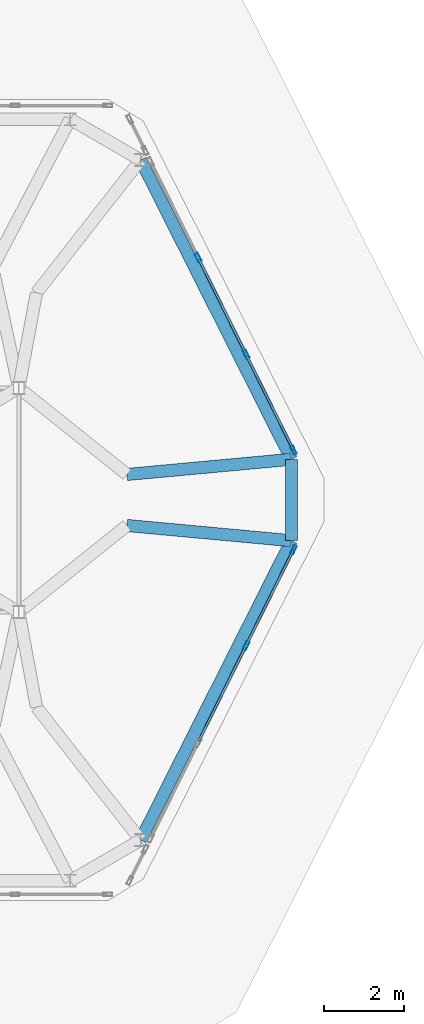
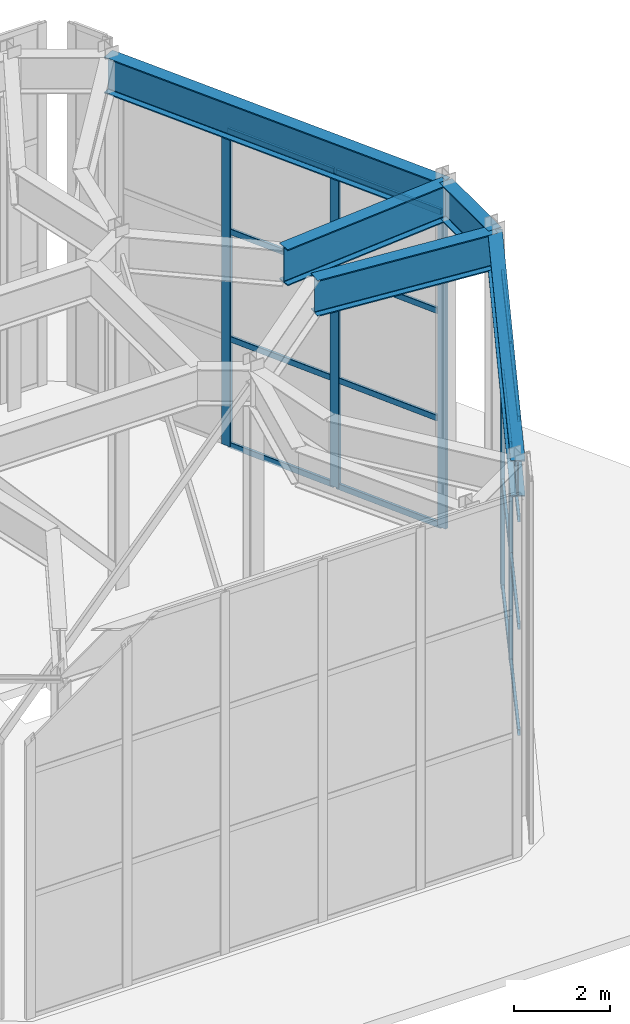
# One storey, part 6 of 9: 21 members, 5 beams, 2 elements without a shape of their own.
"""IFC4 building model written with IfcOpenShell, lengths in metres."""

import ifcopenshell
import ifcopenshell.guid

model = None  # the IFC model being written
_history = None  # IfcOwnerHistory: only IFC2X3 demands one
_inside = {}  # id of a spatial element -> (the spatial element, [elements in it])
_under = {}  # id of a project, library or spatial element -> (it, [spatial elements below it])
_declared = {}  # id of a project -> (the project, [libraries it declares])
_typed = {}  # id of a type object -> (the type object, [elements of that type])
_made_of = {}  # id of a material, layer set ... -> (it, [elements and type objects made of it])


def new_model(schema):
    """Start an empty IFC model of exactly this schema.

    Asked for "IFC4X3", IfcOpenShell would pick the latest addendum, in which some entities
    have other attributes; the version numbers below select the first issue.
    IFC2X3 requires an IfcOwnerHistory on every rooted entity: one is made here for all.
    """
    global model, _history
    if schema == "IFC4X3":
        model = ifcopenshell.file(schema_version=(4, 3, 0, 0))
    else:
        model = ifcopenshell.file(schema=schema)
    _inside.clear()
    _under.clear()
    _declared.clear()
    _typed.clear()
    _made_of.clear()
    _history = None
    if model.schema == "IFC2X3":
        org = make("IfcOrganization", Name="unknown")
        user = make(
            "IfcPersonAndOrganization",
            ThePerson=make("IfcPerson", FamilyName="unknown"),
            TheOrganization=org,
        )
        app = make(
            "IfcApplication",
            ApplicationDeveloper=org,
            Version="unknown",
            ApplicationFullName="unknown",
            ApplicationIdentifier="unknown",
        )
        _history = make(
            "IfcOwnerHistory",
            OwningUser=user,
            OwningApplication=app,
            ChangeAction="ADDED",
            CreationDate=0,
        )
    return model


def make(cls, **values):
    """One entity of the class cls with the attributes given. An attribute that is None is left unset."""
    return model.create_entity(
        cls, **{name: value for name, value in values.items() if value is not None}
    )


def rooted(cls, **values):
    """An entity with a GlobalId (a new one), such as an element, a storey or a relation."""
    return make(cls, GlobalId=ifcopenshell.guid.new(), OwnerHistory=_history, **values)


def si_unit(unit_type, name, prefix=None):
    """IfcSIUnit, for example si_unit("LENGTHUNIT", "METRE", prefix="MILLI")."""
    return make("IfcSIUnit", UnitType=unit_type, Prefix=prefix, Name=name)


def assignment(units):
    """IfcUnitAssignment: the units of a project."""
    return None if units is None else make("IfcUnitAssignment", Units=units)


def point(xyz):
    """IfcCartesianPoint."""
    return None if xyz is None else make("IfcCartesianPoint", Coordinates=xyz)


def direction(xyz):
    """IfcDirection."""
    return None if xyz is None else make("IfcDirection", DirectionRatios=xyz)


def frame(location, z_axis=None, x_axis=None):
    """IfcAxis2Placement3D, a coordinate frame: its origin and axes. An axis left out is left unset."""
    return make(
        "IfcAxis2Placement3D",
        Location=point(location),
        Axis=direction(z_axis),
        RefDirection=direction(x_axis),
    )


def frame_2d(location, x_axis=None):
    """IfcAxis2Placement2D, a coordinate frame in the plane: its origin and x axis."""
    return make(
        "IfcAxis2Placement2D", Location=point(location), RefDirection=direction(x_axis)
    )


def origin():
    """The frame at (0, 0, 0) with its axes left unset."""
    return frame((0.0, 0.0, 0.0))


def origin_2d():
    """The frame at (0, 0) in the plane with its x axis left unset."""
    return frame_2d((0.0, 0.0))


def place(relative_to, where):
    """IfcLocalPlacement: puts the frame where relative to a parent placement (None: the world)."""
    return make(
        "IfcLocalPlacement", PlacementRelTo=relative_to, RelativePlacement=where
    )


def context(
    kind, dimensions, precision=None, world=None, true_north=None, identifier=None
):
    """IfcGeometricRepresentationContext, for example the 3D "Model" context."""
    return make(
        "IfcGeometricRepresentationContext",
        ContextIdentifier=identifier,
        ContextType=kind,
        CoordinateSpaceDimension=dimensions,
        Precision=precision,
        WorldCoordinateSystem=world,
        TrueNorth=true_north,
    )


def subcontext(parent, identifier, kind, view, scale=None):
    """IfcGeometricRepresentationSubContext, for example "Body" below "Model"."""
    return make(
        "IfcGeometricRepresentationSubContext",
        ContextIdentifier=identifier,
        ContextType=kind,
        ParentContext=parent,
        TargetScale=scale,
        TargetView=view,
    )


def project(units=None, contexts=None):
    """IfcProject with its units and contexts."""
    return rooted(
        "IfcProject",
        Name="project",
        RepresentationContexts=contexts,
        UnitsInContext=assignment(units),
    )


def spatial(cls, under=None, at=None, **own):
    """A site, building, storey or space (cls), placed at a placement, below another one or the project."""
    s = rooted(cls, ObjectPlacement=at, **own)
    if under is not None:
        _under.setdefault(under.id(), (under, []))[1].append(s)
    return s


def profile(cls, at=None, kind="AREA", **sizes):
    """A parametric profile (cls). Its sizes go by their IFC names, for example OverallWidth=200.0."""
    return make(cls, ProfileType=kind, Position=at, **sizes)


def hollow_rectangle(**sizes):
    """IfcRectangleHollowProfileDef."""
    return profile("IfcRectangleHollowProfileDef", **sizes)


def i_section(**sizes):
    """IfcIShapeProfileDef."""
    return profile("IfcIShapeProfileDef", **sizes)


def extrude(swept, where, along, depth):
    """IfcExtrudedAreaSolid: the profile swept, set in the frame where, extruded along a direction by depth."""
    return make(
        "IfcExtrudedAreaSolid",
        SweptArea=swept,
        Position=where,
        ExtrudedDirection=direction(along),
        Depth=depth,
    )


def shape(context_of_items, identifier, shape_type, items):
    """IfcShapeRepresentation: the items that make up one representation, for example the "Body"."""
    return make(
        "IfcShapeRepresentation",
        ContextOfItems=context_of_items,
        RepresentationIdentifier=identifier,
        RepresentationType=shape_type,
        Items=items,
    )


def material(Name=None, Category=None):
    """IfcMaterial."""
    return make("IfcMaterial", Name=Name, Category=Category)


def layer(
    of_material, thickness, ventilated=None, Name=None, Category=None, Priority=None
):
    """IfcMaterialLayer: one layer of a wall or slab, of a material (None: an air gap)."""
    return make(
        "IfcMaterialLayer",
        Material=of_material,
        LayerThickness=thickness,
        IsVentilated=ventilated,
        Name=Name,
        Category=Category,
        Priority=Priority,
    )


def layer_set(layers, Name=None):
    """IfcMaterialLayerSet."""
    return make("IfcMaterialLayerSet", MaterialLayers=layers, LayerSetName=Name)


def material_profile(
    of_material, cross_section, Name=None, Category=None, Priority=None
):
    """IfcMaterialProfile: a cross section and its material."""
    return make(
        "IfcMaterialProfile",
        Name=Name,
        Material=of_material,
        Profile=cross_section,
        Priority=Priority,
        Category=Category,
    )


def profile_set(profiles, Name=None, composite=None):
    """IfcMaterialProfileSet."""
    return make(
        "IfcMaterialProfileSet",
        Name=Name,
        MaterialProfiles=profiles,
        CompositeProfile=composite,
    )


def made_of(thing, what):
    """Note that an element or type object is made of a material, layer set ...; save() writes the relation."""
    if what is not None:
        _made_of.setdefault(what.id(), (what, []))[1].append(thing)
    return thing


def type_object(cls, material=None, **own):
    """A type object (cls), such as IfcWallType, which elements share."""
    return made_of(rooted(cls, **own), material)


def element(
    cls,
    number,
    at=None,
    inside=None,
    cuts=None,
    type_object=None,
    material=None,
    context=None,
    identifier="Body",
    shape_type=None,
    held_by="IfcProductDefinitionShape",
    body=None,
    shapes=None,
    **own,
):
    """One element of the class cls, such as IfcWall. Its Tag is "e" and its number.

    at: its placement. inside: the storey or other place that contains it. cuts: it is an
    opening in that element (IfcRelVoidsElement). A single representation is given by context,
    identifier, shape_type and body (its items); several are given by shapes. held_by: the class
    of the entity that holds the representations. save() writes the other relations.
    """
    e = rooted(cls, Tag="e%d" % number, ObjectPlacement=at, **own)
    if body is not None:
        shapes = [shape(context, identifier, shape_type, body)]
    if shapes is not None:
        e.Representation = make(held_by, Representations=shapes)
    if inside is not None:
        _inside.setdefault(inside.id(), (inside, []))[1].append(e)
    if cuts is not None:
        rooted(
            "IfcRelVoidsElement", RelatingBuildingElement=cuts, RelatedOpeningElement=e
        )
    if type_object is not None:
        _typed.setdefault(type_object.id(), (type_object, []))[1].append(e)
    return made_of(e, material)


def aggregate(whole, parts):
    """IfcRelAggregates: a whole, such as a stair, and the parts it consists of."""
    return rooted("IfcRelAggregates", RelatingObject=whole, RelatedObjects=parts)


def save(model, path):
    """Write the relations noted so far, then the file.

    IfcRelAggregates (storeys below a building ...), IfcRelContainedInSpatialStructure (elements
    in a storey), IfcRelDefinesByType, IfcRelAssociatesMaterial and IfcRelDeclares: one each for
    every whole, place, type object, material and project.
    """
    for whole, parts in _under.values():
        aggregate(whole, parts)
    for where, things in _inside.values():
        rooted(
            "IfcRelContainedInSpatialStructure",
            RelatedElements=things,
            RelatingStructure=where,
        )
    for kind, things in _typed.values():
        rooted("IfcRelDefinesByType", RelatedObjects=things, RelatingType=kind)
    for what, things in _made_of.values():
        rooted("IfcRelAssociatesMaterial", RelatedObjects=things, RelatingMaterial=what)
    for by, libraries in _declared.values():
        rooted("IfcRelDeclares", RelatingContext=by, RelatedDefinitions=libraries)
    model.write(path)


model = new_model("IFC4")

# Units and contexts
model_context = context("Model", 3, precision=1e-05, world=origin(), true_north=direction((0.0, 1.0)))
body_context = subcontext(model_context, "Body", "Model", "MODEL_VIEW")
ifc_project = project(units=[si_unit("LENGTHUNIT", "METRE"), si_unit("AREAUNIT", "SQUARE_METRE"), si_unit("VOLUMEUNIT", "CUBIC_METRE"), si_unit("PLANEANGLEUNIT", "RADIAN"), si_unit("MASSUNIT", "GRAM", prefix="KILO")], contexts=[model_context])

# Site, building, storey
site_placement = place(None, origin())
site = spatial("IfcSite", under=ifc_project, at=site_placement, CompositionType="ELEMENT")
building_placement = place(site_placement, origin())
building = spatial("IfcBuilding", under=site, at=building_placement, Name="Cinnabar Lancet Tower", CompositionType="ELEMENT")
storey_placement = place(building_placement, frame((0.0, 0.0, 323.85009765625)))
storey = spatial("IfcBuildingStorey", under=building, at=storey_placement, Name="L82", CompositionType="ELEMENT", Elevation=323.85009765625)

# Curtain wall, members
ifc_material_1 = material(Name="Thermally broken bronze-anodized aluminium and low-E glass", Category="aluminium")
ifc_layer = layer(ifc_material_1, 0.179931640625)
ifc_layer_set = layer_set([ifc_layer], Name="Thermally broken bronze-anodized aluminium and low-E glass")
curtain_wall_type = type_object("IfcCurtainWallType", Name="ENV-CW-SYS-06", PredefinedType="NOTDEFINED", material=ifc_layer_set)
curtain_wall_1_placement = place(storey_placement, origin())
curtain_wall_1 = element("IfcCurtainWall", 1, at=curtain_wall_1_placement, inside=storey, type_object=curtain_wall_type, Name="L82 Faceted Lancet Crown Curtain Wall 5", PredefinedType="NOTDEFINED")
ifc_material_2 = material(Name="Anodized architectural aluminium 6063-T6", Category="aluminium")
ifc_material_profile_1 = material_profile(ifc_material_2, hollow_rectangle(XDim=0.0849609375, YDim=0.219970703125, WallThickness=0.0048828125, InnerFilletRadius=0.00244140625, OuterFilletRadius=0.007568359375, at=origin_2d()), Name="CW-MUL 220x85x5")
ifc_profile_set_1 = profile_set([ifc_material_profile_1], Name="Anodized architectural aluminium 6063-T6")
member_type_1 = type_object("IfcMemberType", Name="ENV-CW-MUL-220", PredefinedType="MULLION", material=ifc_profile_set_1)
member_1_placement = place(storey_placement, frame((41.679443359375, 22.16259765625, 0.0), z_axis=(0.0, 0.0, 1.0), x_axis=(-0.896196734695, 0.443656863715, 0.0)))
member_1 = element("IfcMember", 2, at=member_1_placement, type_object=member_type_1, Name="CW-06 mullion 3", PredefinedType="MULLION", context=body_context, shape_type="SweptSolid", body=[
    extrude(hollow_rectangle(XDim=0.0849609375, YDim=0.219970703125, WallThickness=0.0048828125, InnerFilletRadius=0.00244140625, OuterFilletRadius=0.007568359375, at=origin_2d()), origin(), (0.0, 0.0, 1.0), 7.996826171875),
])
member_2_placement = place(storey_placement, frame((42.86474609375, 24.55712890625, 0.0), z_axis=(0.0, 0.0, 1.0), x_axis=(-0.896196734695, 0.443656863715, 0.0)))
member_2 = element("IfcMember", 3, at=member_2_placement, type_object=member_type_1, Name="CW-06 mullion 4", PredefinedType="MULLION", context=body_context, shape_type="SweptSolid", body=[
    extrude(hollow_rectangle(XDim=0.0849609375, YDim=0.219970703125, WallThickness=0.0048828125, InnerFilletRadius=0.00244140625, OuterFilletRadius=0.007568359375, at=origin_2d()), origin(), (0.0, 0.0, 1.0), 7.996826171875),
])

curtain_wall_2_placement = place(storey_placement, origin())
curtain_wall_2 = element("IfcCurtainWall", 4, at=curtain_wall_2_placement, inside=storey, type_object=curtain_wall_type, Name="L82 Faceted Lancet Crown Curtain Wall 9", PredefinedType="NOTDEFINED")
member_3_placement = place(storey_placement, frame((42.86474609375, 27.04296875, 0.0), z_axis=(0.0, 0.0, 1.0), x_axis=(-0.896196734695, -0.443656863715, 0.0)))
member_3 = element("IfcMember", 5, at=member_3_placement, type_object=member_type_1, Name="CW-06 mullion 1", PredefinedType="MULLION", context=body_context, shape_type="SweptSolid", body=[
    extrude(hollow_rectangle(XDim=0.0849609375, YDim=0.219970703125, WallThickness=0.0048828125, InnerFilletRadius=0.00244140625, OuterFilletRadius=0.007568359375, at=origin_2d()), origin(), (0.0, 0.0, 1.0), 7.996826171875),
])
member_4_placement = place(storey_placement, frame((41.679443359375, 29.437255859375, 0.0), z_axis=(0.0, 0.0, 1.0), x_axis=(-0.896196734695, -0.443656863715, 0.0)))
member_4 = element("IfcMember", 6, at=member_4_placement, type_object=member_type_1, Name="CW-06 mullion 2", PredefinedType="MULLION", context=body_context, shape_type="SweptSolid", body=[
    extrude(hollow_rectangle(XDim=0.0849609375, YDim=0.219970703125, WallThickness=0.0048828125, InnerFilletRadius=0.00244140625, OuterFilletRadius=0.007568359375, at=origin_2d()), origin(), (0.0, 0.0, 1.0), 7.996826171875),
])
member_5_placement = place(storey_placement, frame((40.480712890625, 31.858642578125, 0.0), z_axis=(0.0, 0.0, 1.0), x_axis=(-0.896196734695, -0.443656863715, 0.0)))
member_5 = element("IfcMember", 7, at=member_5_placement, type_object=member_type_1, Name="CW-06 mullion 3", PredefinedType="MULLION", context=body_context, shape_type="SweptSolid", body=[
    extrude(hollow_rectangle(XDim=0.0849609375, YDim=0.219970703125, WallThickness=0.0048828125, InnerFilletRadius=0.00244140625, OuterFilletRadius=0.007568359375, at=origin_2d()), origin(), (0.0, 0.0, 1.0), 7.996826171875),
])

# Member
ifc_material_3 = material(Name="Anodized architectural aluminium 6063-T6", Category="aluminium")
ifc_material_profile_2 = material_profile(ifc_material_3, hollow_rectangle(XDim=0.06494140625, YDim=0.14990234375, WallThickness=0.00390625, InnerFilletRadius=0.001953125, OuterFilletRadius=0.006103515625, at=origin_2d()), Name="CW-TRN 150x65x4")
ifc_profile_set_2 = profile_set([ifc_material_profile_2], Name="Anodized architectural aluminium 6063-T6")
member_type_2 = type_object("IfcMemberType", Name="ENV-CW-TRN-160", PredefinedType="USERDEFINED", material=ifc_profile_set_2)
member_6_placement = place(storey_placement, frame((40.493896484375, 19.768310546875, 0.02978515625), z_axis=(0.443698268574, 0.896176236275, 0.0), x_axis=(-0.896176236275, 0.443698268574, 0.0)))
member_6 = element("IfcMember", 8, at=member_6_placement, type_object=member_type_2, Name="CW-06 transom 2.1", ObjectType="TRANSOM", PredefinedType="USERDEFINED", context=body_context, shape_type="SweptSolid", body=[
    extrude(hollow_rectangle(XDim=0.06494140625, YDim=0.14990234375, WallThickness=0.00390625, InnerFilletRadius=0.001953125, OuterFilletRadius=0.006103515625, at=origin_2d()), origin(), (0.0, 0.0, 1.0), 2.6416015625),
])

member_7_placement = place(storey_placement, frame((40.493896484375, 19.768310546875, 2.718994140625), z_axis=(0.443698268574, 0.896176236275, 0.0), x_axis=(-0.896176236275, 0.443698268574, 0.0)))
member_7 = element("IfcMember", 9, at=member_7_placement, type_object=member_type_2, Name="CW-06 transom 2.2", ObjectType="TRANSOM", PredefinedType="USERDEFINED", context=body_context, shape_type="SweptSolid", body=[
    extrude(hollow_rectangle(XDim=0.06494140625, YDim=0.14990234375, WallThickness=0.00390625, InnerFilletRadius=0.001953125, OuterFilletRadius=0.006103515625, at=origin_2d()), origin(), (0.0, 0.0, 1.0), 2.6416015625),
])

member_8_placement = place(storey_placement, frame((40.493896484375, 19.768310546875, 5.43798828125), z_axis=(0.443698268574, 0.896176236275, 0.0), x_axis=(-0.896176236275, 0.443698268574, 0.0)))
member_8 = element("IfcMember", 10, at=member_8_placement, type_object=member_type_2, Name="CW-06 transom 2.3", ObjectType="TRANSOM", PredefinedType="USERDEFINED", context=body_context, shape_type="SweptSolid", body=[
    extrude(hollow_rectangle(XDim=0.06494140625, YDim=0.14990234375, WallThickness=0.00390625, InnerFilletRadius=0.001953125, OuterFilletRadius=0.006103515625, at=origin_2d()), origin(), (0.0, 0.0, 1.0), 2.6416015625),
])

member_9_placement = place(storey_placement, frame((40.493896484375, 19.768310546875, 7.966796875), z_axis=(0.443698268574, 0.896176236275, 0.0), x_axis=(-0.896176236275, 0.443698268574, 0.0)))
member_9 = element("IfcMember", 11, at=member_9_placement, type_object=member_type_2, Name="CW-06 transom 2.4", ObjectType="TRANSOM", PredefinedType="USERDEFINED", context=body_context, shape_type="SweptSolid", body=[
    extrude(hollow_rectangle(XDim=0.06494140625, YDim=0.14990234375, WallThickness=0.00390625, InnerFilletRadius=0.001953125, OuterFilletRadius=0.006103515625, at=origin_2d()), origin(), (0.0, 0.0, 1.0), 2.6416015625),
])

member_10_placement = place(storey_placement, frame((41.692626953125, 22.189453125, 0.02978515625), z_axis=(0.443620649138, 0.896214661595, 0.0), x_axis=(-0.896214661595, 0.443620649138, 0.0)))
member_10 = element("IfcMember", 12, at=member_10_placement, type_object=member_type_2, Name="CW-06 transom 3.1", ObjectType="TRANSOM", PredefinedType="USERDEFINED", context=body_context, shape_type="SweptSolid", body=[
    extrude(hollow_rectangle(XDim=0.06494140625, YDim=0.14990234375, WallThickness=0.00390625, InnerFilletRadius=0.001953125, OuterFilletRadius=0.006103515625, at=origin_2d()), origin(), (0.0, 0.0, 1.0), 2.61181640625),
])

member_11_placement = place(storey_placement, frame((41.692626953125, 22.189453125, 2.718994140625), z_axis=(0.443620649138, 0.896214661595, 0.0), x_axis=(-0.896214661595, 0.443620649138, 0.0)))
member_11 = element("IfcMember", 13, at=member_11_placement, type_object=member_type_2, Name="CW-06 transom 3.2", ObjectType="TRANSOM", PredefinedType="USERDEFINED", context=body_context, shape_type="SweptSolid", body=[
    extrude(hollow_rectangle(XDim=0.06494140625, YDim=0.14990234375, WallThickness=0.00390625, InnerFilletRadius=0.001953125, OuterFilletRadius=0.006103515625, at=origin_2d()), origin(), (0.0, 0.0, 1.0), 2.61181640625),
])

member_12_placement = place(storey_placement, frame((41.692626953125, 22.189453125, 5.43798828125), z_axis=(0.443620649138, 0.896214661595, 0.0), x_axis=(-0.896214661595, 0.443620649138, 0.0)))
member_12 = element("IfcMember", 14, at=member_12_placement, type_object=member_type_2, Name="CW-06 transom 3.3", ObjectType="TRANSOM", PredefinedType="USERDEFINED", context=body_context, shape_type="SweptSolid", body=[
    extrude(hollow_rectangle(XDim=0.06494140625, YDim=0.14990234375, WallThickness=0.00390625, InnerFilletRadius=0.001953125, OuterFilletRadius=0.006103515625, at=origin_2d()), origin(), (0.0, 0.0, 1.0), 2.61181640625),
])

member_13_placement = place(storey_placement, frame((41.692626953125, 22.189453125, 7.966796875), z_axis=(0.443620649138, 0.896214661595, 0.0), x_axis=(-0.896214661595, 0.443620649138, 0.0)))
member_13 = element("IfcMember", 15, at=member_13_placement, type_object=member_type_2, Name="CW-06 transom 3.4", ObjectType="TRANSOM", PredefinedType="USERDEFINED", context=body_context, shape_type="SweptSolid", body=[
    extrude(hollow_rectangle(XDim=0.06494140625, YDim=0.14990234375, WallThickness=0.00390625, InnerFilletRadius=0.001953125, OuterFilletRadius=0.006103515625, at=origin_2d()), origin(), (0.0, 0.0, 1.0), 2.61181640625),
])

aggregate(curtain_wall_1, [member_1, member_2, member_6, member_7, member_8, member_9, member_10, member_11, member_12, member_13])

member_14_placement = place(storey_placement, frame((42.851318359375, 27.06982421875, 0.02978515625), z_axis=(-0.443657814617, 0.896196263956, 0.0), x_axis=(-0.896196263956, -0.443657814617, 0.0)))
member_14 = element("IfcMember", 16, at=member_14_placement, type_object=member_type_2, Name="CW-06 transom 1.1", ObjectType="TRANSOM", PredefinedType="USERDEFINED", context=body_context, shape_type="SweptSolid", body=[
    extrude(hollow_rectangle(XDim=0.06494140625, YDim=0.14990234375, WallThickness=0.00390625, InnerFilletRadius=0.001953125, OuterFilletRadius=0.006103515625, at=origin_2d()), origin(), (0.0, 0.0, 1.0), 2.611572265625),
])

member_15_placement = place(storey_placement, frame((42.851318359375, 27.06982421875, 2.718994140625), z_axis=(-0.443657814617, 0.896196263956, 0.0), x_axis=(-0.896196263956, -0.443657814617, 0.0)))
member_15 = element("IfcMember", 17, at=member_15_placement, type_object=member_type_2, Name="CW-06 transom 1.2", ObjectType="TRANSOM", PredefinedType="USERDEFINED", context=body_context, shape_type="SweptSolid", body=[
    extrude(hollow_rectangle(XDim=0.06494140625, YDim=0.14990234375, WallThickness=0.00390625, InnerFilletRadius=0.001953125, OuterFilletRadius=0.006103515625, at=origin_2d()), origin(), (0.0, 0.0, 1.0), 2.611572265625),
])

member_16_placement = place(storey_placement, frame((42.851318359375, 27.06982421875, 5.43798828125), z_axis=(-0.443657814617, 0.896196263956, 0.0), x_axis=(-0.896196263956, -0.443657814617, 0.0)))
member_16 = element("IfcMember", 18, at=member_16_placement, type_object=member_type_2, Name="CW-06 transom 1.3", ObjectType="TRANSOM", PredefinedType="USERDEFINED", context=body_context, shape_type="SweptSolid", body=[
    extrude(hollow_rectangle(XDim=0.06494140625, YDim=0.14990234375, WallThickness=0.00390625, InnerFilletRadius=0.001953125, OuterFilletRadius=0.006103515625, at=origin_2d()), origin(), (0.0, 0.0, 1.0), 2.611572265625),
])

member_17_placement = place(storey_placement, frame((42.851318359375, 27.06982421875, 7.966796875), z_axis=(-0.443657814617, 0.896196263956, 0.0), x_axis=(-0.896196263956, -0.443657814617, 0.0)))
member_17 = element("IfcMember", 19, at=member_17_placement, type_object=member_type_2, Name="CW-06 transom 1.4", ObjectType="TRANSOM", PredefinedType="USERDEFINED", context=body_context, shape_type="SweptSolid", body=[
    extrude(hollow_rectangle(XDim=0.06494140625, YDim=0.14990234375, WallThickness=0.00390625, InnerFilletRadius=0.001953125, OuterFilletRadius=0.006103515625, at=origin_2d()), origin(), (0.0, 0.0, 1.0), 2.611572265625),
])

member_18_placement = place(storey_placement, frame((41.666015625, 29.464111328125, 0.02978515625), z_axis=(-0.44366152295, 0.896194428154, 0.0), x_axis=(-0.896194428154, -0.44366152295, 0.0)))
member_18 = element("IfcMember", 20, at=member_18_placement, type_object=member_type_2, Name="CW-06 transom 2.1", ObjectType="TRANSOM", PredefinedType="USERDEFINED", context=body_context, shape_type="SweptSolid", body=[
    extrude(hollow_rectangle(XDim=0.06494140625, YDim=0.14990234375, WallThickness=0.00390625, InnerFilletRadius=0.001953125, OuterFilletRadius=0.006103515625, at=origin_2d()), origin(), (0.0, 0.0, 1.0), 2.641845703125),
])

member_19_placement = place(storey_placement, frame((41.666015625, 29.464111328125, 2.718994140625), z_axis=(-0.44366152295, 0.896194428154, 0.0), x_axis=(-0.896194428154, -0.44366152295, 0.0)))
member_19 = element("IfcMember", 21, at=member_19_placement, type_object=member_type_2, Name="CW-06 transom 2.2", ObjectType="TRANSOM", PredefinedType="USERDEFINED", context=body_context, shape_type="SweptSolid", body=[
    extrude(hollow_rectangle(XDim=0.06494140625, YDim=0.14990234375, WallThickness=0.00390625, InnerFilletRadius=0.001953125, OuterFilletRadius=0.006103515625, at=origin_2d()), origin(), (0.0, 0.0, 1.0), 2.641845703125),
])

member_20_placement = place(storey_placement, frame((41.666015625, 29.464111328125, 5.43798828125), z_axis=(-0.44366152295, 0.896194428154, 0.0), x_axis=(-0.896194428154, -0.44366152295, 0.0)))
member_20 = element("IfcMember", 22, at=member_20_placement, type_object=member_type_2, Name="CW-06 transom 2.3", ObjectType="TRANSOM", PredefinedType="USERDEFINED", context=body_context, shape_type="SweptSolid", body=[
    extrude(hollow_rectangle(XDim=0.06494140625, YDim=0.14990234375, WallThickness=0.00390625, InnerFilletRadius=0.001953125, OuterFilletRadius=0.006103515625, at=origin_2d()), origin(), (0.0, 0.0, 1.0), 2.641845703125),
])

member_21_placement = place(storey_placement, frame((41.666015625, 29.464111328125, 7.966796875), z_axis=(-0.44366152295, 0.896194428154, 0.0), x_axis=(-0.896194428154, -0.44366152295, 0.0)))
member_21 = element("IfcMember", 23, at=member_21_placement, type_object=member_type_2, Name="CW-06 transom 2.4", ObjectType="TRANSOM", PredefinedType="USERDEFINED", context=body_context, shape_type="SweptSolid", body=[
    extrude(hollow_rectangle(XDim=0.06494140625, YDim=0.14990234375, WallThickness=0.00390625, InnerFilletRadius=0.001953125, OuterFilletRadius=0.006103515625, at=origin_2d()), origin(), (0.0, 0.0, 1.0), 2.641845703125),
])

aggregate(curtain_wall_2, [member_3, member_4, member_5, member_14, member_15, member_16, member_17, member_18, member_19, member_20, member_21])

# Beams
ifc_material_4 = material(Name="Structural steel S355", Category="steel")
ifc_material_profile_3 = material_profile(ifc_material_4, i_section(OverallWidth=0.305419921875, OverallDepth=0.91845703125, WebThickness=0.017333984375, FlangeThickness=0.02783203125, FilletRadius=0.01904296875, at=origin_2d()), Name="UKB 914x305x253")
ifc_profile_set_3 = profile_set([ifc_material_profile_3], Name="Structural steel S355")
beam_type = type_object("IfcBeamType", Name="STR-BM-UKB914-253", PredefinedType="BEAM", material=ifc_profile_set_3)
beam_1_placement = place(storey_placement, frame((39.04296875, 17.303955078125, 8.4658203125), z_axis=(0.449940191436, 0.893058690194, 0.0), x_axis=(-0.893058690194, 0.449940191436, 0.0)))
element("IfcBeam", 24, at=beam_1_placement, inside=storey, type_object=beam_type, Name="L83 Setback Outer Ring Girder 3", PredefinedType="BEAM", context=body_context, shape_type="SweptSolid", body=[
    extrude(i_section(OverallWidth=0.305419921875, OverallDepth=0.91845703125, WebThickness=0.017333984375, FlangeThickness=0.02783203125, FilletRadius=0.01904296875, at=origin_2d()), origin(), (0.0, 0.0, 1.0), 8.37451171875),
])
beam_2_placement = place(storey_placement, frame((42.81103515625, 24.782958984375, 8.4658203125), z_axis=(0.0, 1.0, 0.0), x_axis=(-1.0, 0.0, 0.0)))
element("IfcBeam", 25, at=beam_2_placement, inside=storey, type_object=beam_type, Name="L83 Setback Outer Ring Girder 4", PredefinedType="BEAM", context=body_context, shape_type="SweptSolid", body=[
    extrude(i_section(OverallWidth=0.305419921875, OverallDepth=0.91845703125, WebThickness=0.017333984375, FlangeThickness=0.02783203125, FilletRadius=0.01904296875, at=origin_2d()), origin(), (0.0, 0.0, 1.0), 2.033935546875),
])
beam_3_placement = place(storey_placement, frame((42.81103515625, 26.81689453125, 8.4658203125), z_axis=(-0.449940191436, 0.893058690194, 0.0), x_axis=(-0.893058690194, -0.449940191436, 0.0)))
element("IfcBeam", 26, at=beam_3_placement, inside=storey, type_object=beam_type, Name="L83 Setback Outer Ring Girder 5", PredefinedType="BEAM", context=body_context, shape_type="SweptSolid", body=[
    extrude(i_section(OverallWidth=0.305419921875, OverallDepth=0.91845703125, WebThickness=0.017333984375, FlangeThickness=0.02783203125, FilletRadius=0.01904296875, at=origin_2d()), origin(), (0.0, 0.0, 1.0), 8.37451171875),
])
for number, where, z_axis, x_axis, name in (
    (27, (42.81103515625, 24.782958984375, 8.4658203125), (-0.995743893739, 0.092163431373, 0.0), (-0.092163431373, -0.995743893739, 0.0), "L83 Crown Setback Strut Girder 4"),
    (28, (42.81103515625, 26.81689453125, 8.4658203125), (-0.995749324246, -0.092104740728, 0.0), (0.092104740728, -0.995749324246, 0.0), "L83 Crown Setback Strut Girder 5"),
):
    element("IfcBeam", number, at=place(storey_placement, frame(where, z_axis=z_axis, x_axis=x_axis)), inside=storey, type_object=beam_type, Name=name, PredefinedType="BEAM", context=body_context, shape_type="SweptSolid", body=[
        extrude(i_section(OverallWidth=0.305419921875, OverallDepth=0.91845703125, WebThickness=0.017333984375, FlangeThickness=0.02783203125, FilletRadius=0.01904296875, at=origin_2d()), origin(), (0.0, 0.0, 1.0), 4.12451171875),
    ])

save(model, "model.ifc")
